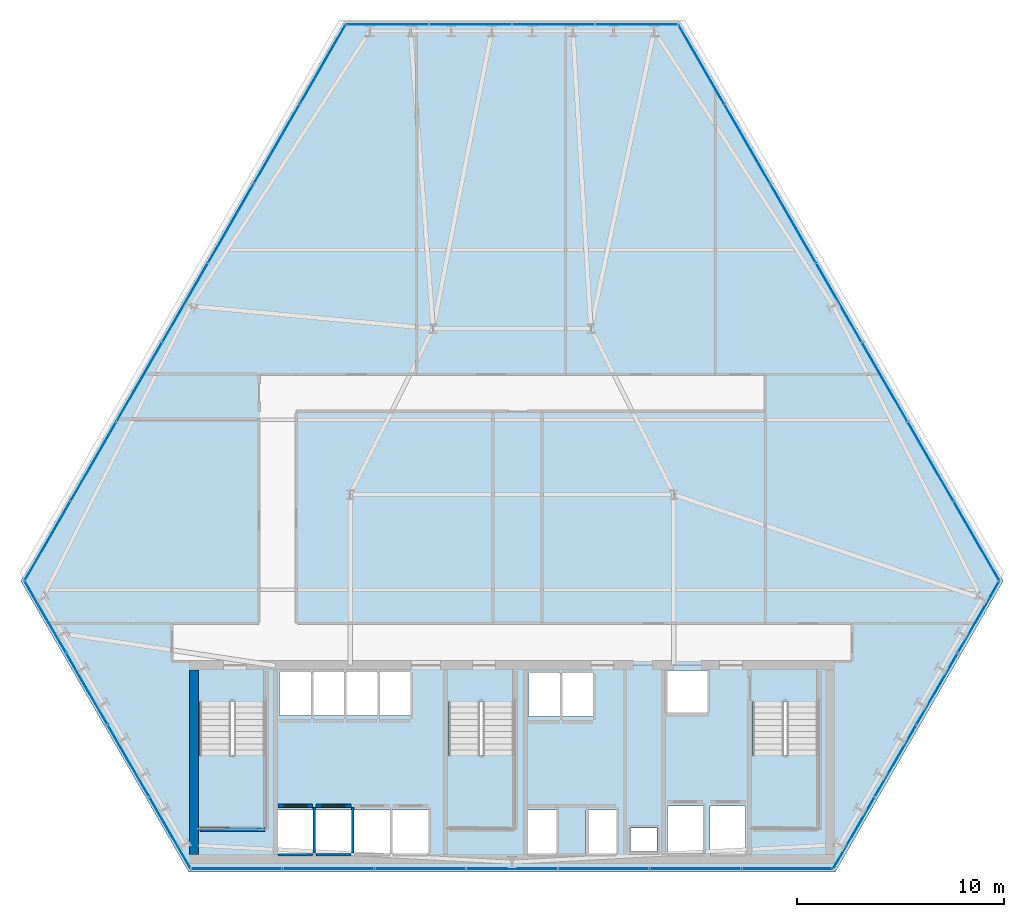
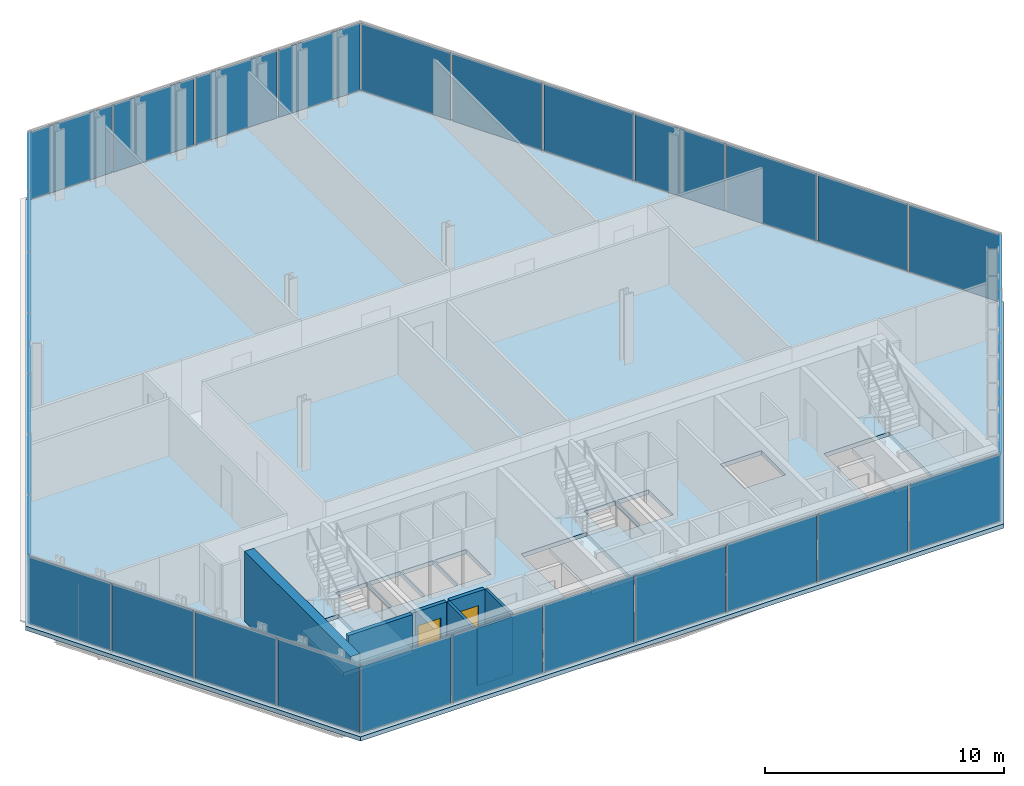
# One storey, part 26 of 32: 33 plates, 8 walls, 4 slabs, 2 doors, 2 openings, 9 elements without a shape of their own.
"""IFC4 building model written with IfcOpenShell, lengths in metres."""

from ifc_helpers import new_model, si_unit, direction, frame, frame_2d, origin, origin_2d, place, context, subcontext, project, spatial, polyline, rectangle, outline, extrude, material, layer, layer_set, type_object, element, fill, aggregate, save


model = new_model("IFC4")

# Units and contexts
model_context = context("Model", 3, precision=1e-05, world=origin(), true_north=direction((0.0, 1.0)))
body_context = subcontext(model_context, "Body", "Model", "MODEL_VIEW")
ifc_project = project(units=[si_unit("LENGTHUNIT", "METRE"), si_unit("AREAUNIT", "SQUARE_METRE"), si_unit("VOLUMEUNIT", "CUBIC_METRE"), si_unit("PLANEANGLEUNIT", "RADIAN"), si_unit("MASSUNIT", "GRAM", prefix="KILO")], contexts=[model_context])

# Site, building, storey
site_placement = place(None, origin())
site = spatial("IfcSite", under=ifc_project, at=site_placement, CompositionType="ELEMENT")
building_placement = place(site_placement, origin())
building = spatial("IfcBuilding", under=site, at=building_placement, Name="Ndaravel Arena Tower", CompositionType="ELEMENT")
storey_placement = place(building_placement, frame((0.0, 0.0, 47.39990234375)))
storey = spatial("IfcBuildingStorey", under=building, at=storey_placement, Name="L09", CompositionType="ELEMENT", Elevation=47.39990234375)

# Curtain wall, plate
ifc_material_1 = material(Name="Aluminium", Category="aluminium")
ifc_layer_1 = layer(ifc_material_1, 0.179931640625)
ifc_layer_set_1 = layer_set([ifc_layer_1], Name="Aluminium")
curtain_wall_type_1 = type_object("IfcCurtainWallType", Name="CW-SYS-01", PredefinedType="NOTDEFINED", material=ifc_layer_set_1)
curtain_wall_1_placement = place(storey_placement, origin())
curtain_wall_1 = element("IfcCurtainWall", 1, at=curtain_wall_1_placement, inside=storey, type_object=curtain_wall_type_1, Name="L09 Faceted Crystal Curtain Wall CW-L09-E02", PredefinedType="NOTDEFINED")
ifc_material_2 = material(Name="Glazing", Category="glass")
ifc_layer_2 = layer(ifc_material_2, 0.035888671875)
ifc_layer_set_2 = layer_set([ifc_layer_2], Name="Glazing")
plate_type_1 = type_object("IfcPlateType", Name="PLT-CW-OPVENT", PredefinedType="CURTAIN_PANEL", material=ifc_layer_set_2)
plate_1_placement = place(storey_placement, frame((60.48486328125, 10.36474609375, 0.06005859375), z_axis=(0.0, 0.0, 1.0), x_axis=(0.5, 0.866025403784, 0.0)))
plate_1 = element("IfcPlate", 2, at=plate_1_placement, type_object=plate_type_1, Name="CW-L09-E02 Operable Vent Sash Panel 02", PredefinedType="CURTAIN_PANEL", context=body_context, shape_type="SweptSolid", body=[
    extrude(rectangle(XDim=3.9267578125, YDim=0.035888671875, at=origin_2d()), origin(), (0.0, 0.0, 1.0), 3.4599609375),
])

curtain_wall_2_placement = place(storey_placement, origin())
curtain_wall_2 = element("IfcCurtainWall", 3, at=curtain_wall_2_placement, inside=storey, type_object=curtain_wall_type_1, Name="L09 Faceted Crystal Curtain Wall CW-L09-E04", PredefinedType="NOTDEFINED")
plate_2_placement = place(storey_placement, frame((44.00341796875, 45.851318359375, 0.06005859375), z_axis=(0.0, 0.0, 1.0), x_axis=(-1.0, 0.0, 0.0)))
plate_2 = element("IfcPlate", 4, at=plate_2_placement, type_object=plate_type_1, Name="CW-L09-E04 Operable Vent Sash Panel 02", PredefinedType="CURTAIN_PANEL", context=body_context, shape_type="SweptSolid", body=[
    extrude(rectangle(XDim=3.9267578125, YDim=0.035888671875, at=origin_2d()), origin(), (0.0, 0.0, 1.0), 3.4599609375),
])

ifc_material_3 = material(Name="Aluminium", Category="aluminium")
ifc_layer_3 = layer(ifc_material_3, 0.179931640625)
ifc_layer_set_3 = layer_set([ifc_layer_3], Name="Aluminium")
curtain_wall_type_2 = type_object("IfcCurtainWallType", Name="CW-SYS-02", PredefinedType="NOTDEFINED", material=ifc_layer_set_3)
curtain_wall_3_placement = place(storey_placement, origin())
curtain_wall_3 = element("IfcCurtainWall", 5, at=curtain_wall_3_placement, inside=storey, type_object=curtain_wall_type_2, Name="L09 Faceted Crystal Curtain Wall CW-L09-E06", PredefinedType="NOTDEFINED")
plate_3_placement = place(storey_placement, frame((21.51171875, 13.834716796875, 0.06005859375), z_axis=(0.0, 0.0, 1.0), x_axis=(0.5, -0.866025403784, 0.0)))
plate_3 = element("IfcPlate", 6, at=plate_3_placement, type_object=plate_type_1, Name="CW-L09-E06 Operable Vent Sash Panel 02", PredefinedType="CURTAIN_PANEL", context=body_context, shape_type="SweptSolid", body=[
    extrude(rectangle(XDim=3.9267578125, YDim=0.035888671875, at=origin_2d()), origin(), (0.0, 0.0, 1.0), 3.4599609375),
])

# Plate
ifc_material_4 = material(Name="Glazing", Category="glass")
ifc_layer_4 = layer(ifc_material_4, 0.031982421875)
ifc_layer_set_4 = layer_set([ifc_layer_4], Name="Glazing")
plate_type_2 = type_object("IfcPlateType", Name="PLT-GLZ-FRIT35", PredefinedType="CURTAIN_PANEL", material=ifc_layer_set_4)
plate_4_placement = place(storey_placement, frame((58.481689453125, 6.89501953125, 0.06005859375), z_axis=(0.0, 0.0, 1.0), x_axis=(0.5, 0.866025403784, 0.0)))
plate_4 = element("IfcPlate", 7, at=plate_4_placement, type_object=plate_type_2, Name="CW-L09-E02 Vision Glass Panel 01", PredefinedType="CURTAIN_PANEL", context=body_context, shape_type="SweptSolid", body=[
    extrude(rectangle(XDim=3.9267578125, YDim=0.035888671875, at=origin_2d()), origin(), (0.0, 0.0, 1.0), 3.4599609375),
])

plate_5_placement = place(storey_placement, frame((62.48828125, 13.834716796875, 0.06005859375), z_axis=(0.0, 0.0, 1.0), x_axis=(0.5, 0.866025403784, 0.0)))
plate_5 = element("IfcPlate", 8, at=plate_5_placement, type_object=plate_type_2, Name="CW-L09-E02 Vision Glass Panel 03", PredefinedType="CURTAIN_PANEL", context=body_context, shape_type="SweptSolid", body=[
    extrude(rectangle(XDim=3.9267578125, YDim=0.035888671875, at=origin_2d()), origin(), (0.0, 0.0, 1.0), 3.4599609375),
])

plate_6_placement = place(storey_placement, frame((64.491455078125, 17.3046875, 0.06005859375), z_axis=(0.0, 0.0, 1.0), x_axis=(0.5, 0.866025403784, 0.0)))
plate_6 = element("IfcPlate", 9, at=plate_6_placement, type_object=plate_type_2, Name="CW-L09-E02 Vision Glass Panel 04", PredefinedType="CURTAIN_PANEL", context=body_context, shape_type="SweptSolid", body=[
    extrude(rectangle(XDim=3.9267578125, YDim=0.035888671875, at=origin_2d()), origin(), (0.0, 0.0, 1.0), 3.4599609375),
])

aggregate(curtain_wall_1, [plate_4, plate_1, plate_5, plate_6])

plate_7_placement = place(storey_placement, frame((48.010009765625, 45.851318359375, 0.06005859375), z_axis=(0.0, 0.0, 1.0), x_axis=(-1.0, 0.0, 0.0)))
plate_7 = element("IfcPlate", 10, at=plate_7_placement, type_object=plate_type_2, Name="CW-L09-E04 Vision Glass Panel 01", PredefinedType="CURTAIN_PANEL", context=body_context, shape_type="SweptSolid", body=[
    extrude(rectangle(XDim=3.9267578125, YDim=0.035888671875, at=origin_2d()), origin(), (0.0, 0.0, 1.0), 3.4599609375),
])

plate_8_placement = place(storey_placement, frame((39.99658203125, 45.851318359375, 0.06005859375), z_axis=(0.0, 0.0, 1.0), x_axis=(-1.0, 0.0, 0.0)))
plate_8 = element("IfcPlate", 11, at=plate_8_placement, type_object=plate_type_2, Name="CW-L09-E04 Vision Glass Panel 03", PredefinedType="CURTAIN_PANEL", context=body_context, shape_type="SweptSolid", body=[
    extrude(rectangle(XDim=3.9267578125, YDim=0.035888671875, at=origin_2d()), origin(), (0.0, 0.0, 1.0), 3.4599609375),
])

plate_9_placement = place(storey_placement, frame((35.989990234375, 45.851318359375, 0.06005859375), z_axis=(0.0, 0.0, 1.0), x_axis=(-1.0, 0.0, 0.0)))
plate_9 = element("IfcPlate", 12, at=plate_9_placement, type_object=plate_type_2, Name="CW-L09-E04 Vision Glass Panel 04", PredefinedType="CURTAIN_PANEL", context=body_context, shape_type="SweptSolid", body=[
    extrude(rectangle(XDim=3.9267578125, YDim=0.035888671875, at=origin_2d()), origin(), (0.0, 0.0, 1.0), 3.4599609375),
])

aggregate(curtain_wall_2, [plate_7, plate_2, plate_8, plate_9])

ifc_material_5 = material(Name="Glazing", Category="glass")
ifc_layer_5 = layer(ifc_material_5, 0.035888671875)
ifc_layer_set_5 = layer_set([ifc_layer_5], Name="Glazing")
plate_type_3 = type_object("IfcPlateType", Name="PLT-GLZ-FRIT55", PredefinedType="CURTAIN_PANEL", material=ifc_layer_set_5)
plate_10_placement = place(storey_placement, frame((19.508544921875, 17.3046875, 0.06005859375), z_axis=(0.0, 0.0, 1.0), x_axis=(0.5, -0.866025403784, 0.0)))
plate_10 = element("IfcPlate", 13, at=plate_10_placement, type_object=plate_type_3, Name="CW-L09-E06 Vision Glass Panel 01", PredefinedType="CURTAIN_PANEL", context=body_context, shape_type="SweptSolid", body=[
    extrude(rectangle(XDim=3.9267578125, YDim=0.035888671875, at=origin_2d()), origin(), (0.0, 0.0, 1.0), 3.4599609375),
])

plate_11_placement = place(storey_placement, frame((23.51513671875, 10.36474609375, 0.06005859375), z_axis=(0.0, 0.0, 1.0), x_axis=(0.5, -0.866025403784, 0.0)))
plate_11 = element("IfcPlate", 14, at=plate_11_placement, type_object=plate_type_3, Name="CW-L09-E06 Vision Glass Panel 03", PredefinedType="CURTAIN_PANEL", context=body_context, shape_type="SweptSolid", body=[
    extrude(rectangle(XDim=3.9267578125, YDim=0.035888671875, at=origin_2d()), origin(), (0.0, 0.0, 1.0), 3.4599609375),
])

plate_12_placement = place(storey_placement, frame((25.518310546875, 6.89501953125, 0.06005859375), z_axis=(0.0, 0.0, 1.0), x_axis=(0.5, -0.866025403784, 0.0)))
plate_12 = element("IfcPlate", 15, at=plate_12_placement, type_object=plate_type_3, Name="CW-L09-E06 Vision Glass Panel 04", PredefinedType="CURTAIN_PANEL", context=body_context, shape_type="SweptSolid", body=[
    extrude(rectangle(XDim=3.9267578125, YDim=0.035888671875, at=origin_2d()), origin(), (0.0, 0.0, 1.0), 3.4599609375),
])

aggregate(curtain_wall_3, [plate_10, plate_3, plate_11, plate_12])

# Curtain wall, plates
ifc_material_6 = material(Name="Aluminium", Category="aluminium")
ifc_layer_6 = layer(ifc_material_6, 0.179931640625)
ifc_layer_set_6 = layer_set([ifc_layer_6], Name="Aluminium")
curtain_wall_type_3 = type_object("IfcCurtainWallType", Name="CW-SYS-03", PredefinedType="NOTDEFINED", material=ifc_layer_set_6)
curtain_wall_4_placement = place(storey_placement, origin())
curtain_wall_4 = element("IfcCurtainWall", 16, at=curtain_wall_4_placement, inside=storey, type_object=curtain_wall_type_3, Name="L09 Faceted Crystal Curtain Wall CW-L09-E01", PredefinedType="NOTDEFINED")
ifc_material_7 = material(Name="Glazing", Category="glass")
ifc_layer_7 = layer(ifc_material_7, 0.0400390625)
ifc_layer_set_7 = layer_set([ifc_layer_7], Name="Glazing")
plate_type_4 = type_object("IfcPlateType", Name="PLT-GLZ-LOWIRON", PredefinedType="CURTAIN_PANEL", material=ifc_layer_set_7)
plate_13_placement = place(storey_placement, frame((28.7314453125, 5.159912109375, 0.06005859375), z_axis=(0.0, 0.0, 1.0), x_axis=(1.0, 0.0, 0.0)))
plate_13 = element("IfcPlate", 17, at=plate_13_placement, type_object=plate_type_4, Name="CW-L09-E01 Vision Glass Panel 01", PredefinedType="CURTAIN_PANEL", context=body_context, shape_type="SweptSolid", body=[
    extrude(rectangle(XDim=4.3427734375, YDim=0.035888671875, at=origin_2d()), origin(), (0.0, 0.0, 1.0), 3.4599609375),
])
plate_14_placement = place(storey_placement, frame((33.154296875, 5.159912109375, 0.06005859375), z_axis=(0.0, 0.0, 1.0), x_axis=(1.0, 0.0, 0.0)))
plate_14 = element("IfcPlate", 18, at=plate_14_placement, type_object=plate_type_4, Name="CW-L09-E01 Vision Glass Panel 02", PredefinedType="CURTAIN_PANEL", context=body_context, shape_type="SweptSolid", body=[
    extrude(rectangle(XDim=4.3427734375, YDim=0.035888671875, at=origin_2d()), origin(), (0.0, 0.0, 1.0), 3.4599609375),
])
plate_15_placement = place(storey_placement, frame((37.5771484375, 5.159912109375, 0.06005859375), z_axis=(0.0, 0.0, 1.0), x_axis=(1.0, 0.0, 0.0)))
plate_15 = element("IfcPlate", 19, at=plate_15_placement, type_object=plate_type_4, Name="CW-L09-E01 Vision Glass Panel 03", PredefinedType="CURTAIN_PANEL", context=body_context, shape_type="SweptSolid", body=[
    extrude(rectangle(XDim=4.3427734375, YDim=0.035888671875, at=origin_2d()), origin(), (0.0, 0.0, 1.0), 3.4599609375),
])
plate_16_placement = place(storey_placement, frame((42.0, 5.159912109375, 0.06005859375), z_axis=(0.0, 0.0, 1.0), x_axis=(1.0, 0.0, 0.0)))
plate_16 = element("IfcPlate", 20, at=plate_16_placement, type_object=plate_type_4, Name="CW-L09-E01 Vision Glass Panel 04", PredefinedType="CURTAIN_PANEL", context=body_context, shape_type="SweptSolid", body=[
    extrude(rectangle(XDim=4.3427734375, YDim=0.035888671875, at=origin_2d()), origin(), (0.0, 0.0, 1.0), 3.4599609375),
])
plate_17_placement = place(storey_placement, frame((46.4228515625, 5.159912109375, 0.06005859375), z_axis=(0.0, 0.0, 1.0), x_axis=(1.0, 0.0, 0.0)))
plate_17 = element("IfcPlate", 21, at=plate_17_placement, type_object=plate_type_4, Name="CW-L09-E01 Vision Glass Panel 05", PredefinedType="CURTAIN_PANEL", context=body_context, shape_type="SweptSolid", body=[
    extrude(rectangle(XDim=4.3427734375, YDim=0.035888671875, at=origin_2d()), origin(), (0.0, 0.0, 1.0), 3.4599609375),
])
plate_18_placement = place(storey_placement, frame((50.845703125, 5.159912109375, 0.06005859375), z_axis=(0.0, 0.0, 1.0), x_axis=(1.0, 0.0, 0.0)))
plate_18 = element("IfcPlate", 22, at=plate_18_placement, type_object=plate_type_4, Name="CW-L09-E01 Vision Glass Panel 06", PredefinedType="CURTAIN_PANEL", context=body_context, shape_type="SweptSolid", body=[
    extrude(rectangle(XDim=4.3427734375, YDim=0.035888671875, at=origin_2d()), origin(), (0.0, 0.0, 1.0), 3.4599609375),
])
plate_19_placement = place(storey_placement, frame((55.2685546875, 5.159912109375, 0.06005859375), z_axis=(0.0, 0.0, 1.0), x_axis=(1.0, 0.0, 0.0)))
plate_19 = element("IfcPlate", 23, at=plate_19_placement, type_object=plate_type_4, Name="CW-L09-E01 Vision Glass Panel 07", PredefinedType="CURTAIN_PANEL", context=body_context, shape_type="SweptSolid", body=[
    extrude(rectangle(XDim=4.3427734375, YDim=0.035888671875, at=origin_2d()), origin(), (0.0, 0.0, 1.0), 3.4599609375),
])
aggregate(curtain_wall_4, [plate_13, plate_14, plate_15, plate_16, plate_17, plate_18, plate_19])

curtain_wall_5_placement = place(storey_placement, origin())
curtain_wall_5 = element("IfcCurtainWall", 24, at=curtain_wall_5_placement, inside=storey, type_object=curtain_wall_type_3, Name="L09 Faceted Crystal Curtain Wall CW-L09-E03", PredefinedType="NOTDEFINED")
plate_20_placement = place(storey_placement, frame((64.387451171875, 20.95458984375, 0.06005859375), z_axis=(0.0, 0.0, 1.0), x_axis=(-0.5, 0.866025403784, 0.0)))
plate_20 = element("IfcPlate", 25, at=plate_20_placement, type_object=plate_type_4, Name="CW-L09-E03 Vision Glass Panel 01", PredefinedType="CURTAIN_PANEL", context=body_context, shape_type="SweptSolid", body=[
    extrude(rectangle(XDim=4.3427734375, YDim=0.035888671875, at=origin_2d()), origin(), (0.0, 0.0, 1.0), 3.4599609375),
])
plate_21_placement = place(storey_placement, frame((62.176025390625, 24.784912109375, 0.06005859375), z_axis=(0.0, 0.0, 1.0), x_axis=(-0.5, 0.866025403784, 0.0)))
plate_21 = element("IfcPlate", 26, at=plate_21_placement, type_object=plate_type_4, Name="CW-L09-E03 Vision Glass Panel 02", PredefinedType="CURTAIN_PANEL", context=body_context, shape_type="SweptSolid", body=[
    extrude(rectangle(XDim=4.3427734375, YDim=0.035888671875, at=origin_2d()), origin(), (0.0, 0.0, 1.0), 3.4599609375),
])
plate_22_placement = place(storey_placement, frame((59.964599609375, 28.615234375, 0.06005859375), z_axis=(0.0, 0.0, 1.0), x_axis=(-0.5, 0.866025403784, 0.0)))
plate_22 = element("IfcPlate", 27, at=plate_22_placement, type_object=plate_type_4, Name="CW-L09-E03 Vision Glass Panel 03", PredefinedType="CURTAIN_PANEL", context=body_context, shape_type="SweptSolid", body=[
    extrude(rectangle(XDim=4.3427734375, YDim=0.035888671875, at=origin_2d()), origin(), (0.0, 0.0, 1.0), 3.4599609375),
])
plate_23_placement = place(storey_placement, frame((57.75341796875, 32.445556640625, 0.06005859375), z_axis=(0.0, 0.0, 1.0), x_axis=(-0.5, 0.866025403784, 0.0)))
plate_23 = element("IfcPlate", 28, at=plate_23_placement, type_object=plate_type_4, Name="CW-L09-E03 Vision Glass Panel 04", PredefinedType="CURTAIN_PANEL", context=body_context, shape_type="SweptSolid", body=[
    extrude(rectangle(XDim=4.3427734375, YDim=0.035888671875, at=origin_2d()), origin(), (0.0, 0.0, 1.0), 3.4599609375),
])
plate_24_placement = place(storey_placement, frame((55.541748046875, 36.275634765625, 0.06005859375), z_axis=(0.0, 0.0, 1.0), x_axis=(-0.5, 0.866025403784, 0.0)))
plate_24 = element("IfcPlate", 29, at=plate_24_placement, type_object=plate_type_4, Name="CW-L09-E03 Vision Glass Panel 05", PredefinedType="CURTAIN_PANEL", context=body_context, shape_type="SweptSolid", body=[
    extrude(rectangle(XDim=4.3427734375, YDim=0.035888671875, at=origin_2d()), origin(), (0.0, 0.0, 1.0), 3.4599609375),
])
plate_25_placement = place(storey_placement, frame((53.330322265625, 40.10595703125, 0.06005859375), z_axis=(0.0, 0.0, 1.0), x_axis=(-0.5, 0.866025403784, 0.0)))
plate_25 = element("IfcPlate", 30, at=plate_25_placement, type_object=plate_type_4, Name="CW-L09-E03 Vision Glass Panel 06", PredefinedType="CURTAIN_PANEL", context=body_context, shape_type="SweptSolid", body=[
    extrude(rectangle(XDim=4.3427734375, YDim=0.035888671875, at=origin_2d()), origin(), (0.0, 0.0, 1.0), 3.4599609375),
])
plate_26_placement = place(storey_placement, frame((51.118896484375, 43.936279296875, 0.06005859375), z_axis=(0.0, 0.0, 1.0), x_axis=(-0.5, 0.866025403784, 0.0)))
plate_26 = element("IfcPlate", 31, at=plate_26_placement, type_object=plate_type_4, Name="CW-L09-E03 Vision Glass Panel 07", PredefinedType="CURTAIN_PANEL", context=body_context, shape_type="SweptSolid", body=[
    extrude(rectangle(XDim=4.3427734375, YDim=0.035888671875, at=origin_2d()), origin(), (0.0, 0.0, 1.0), 3.4599609375),
])
aggregate(curtain_wall_5, [plate_20, plate_21, plate_22, plate_23, plate_24, plate_25, plate_26])

curtain_wall_6_placement = place(storey_placement, origin())
curtain_wall_6 = element("IfcCurtainWall", 32, at=curtain_wall_6_placement, inside=storey, type_object=curtain_wall_type_3, Name="L09 Faceted Crystal Curtain Wall CW-L09-E05", PredefinedType="NOTDEFINED")
plate_27_placement = place(storey_placement, frame((32.881103515625, 43.936279296875, 0.06005859375), z_axis=(0.0, 0.0, 1.0), x_axis=(-0.5, -0.866025403784, 0.0)))
plate_27 = element("IfcPlate", 33, at=plate_27_placement, type_object=plate_type_4, Name="CW-L09-E05 Vision Glass Panel 01", PredefinedType="CURTAIN_PANEL", context=body_context, shape_type="SweptSolid", body=[
    extrude(rectangle(XDim=4.3427734375, YDim=0.035888671875, at=origin_2d()), origin(), (0.0, 0.0, 1.0), 3.4599609375),
])
plate_28_placement = place(storey_placement, frame((30.669677734375, 40.10595703125, 0.06005859375), z_axis=(0.0, 0.0, 1.0), x_axis=(-0.5, -0.866025403784, 0.0)))
plate_28 = element("IfcPlate", 34, at=plate_28_placement, type_object=plate_type_4, Name="CW-L09-E05 Vision Glass Panel 02", PredefinedType="CURTAIN_PANEL", context=body_context, shape_type="SweptSolid", body=[
    extrude(rectangle(XDim=4.3427734375, YDim=0.035888671875, at=origin_2d()), origin(), (0.0, 0.0, 1.0), 3.4599609375),
])
plate_29_placement = place(storey_placement, frame((28.458251953125, 36.275634765625, 0.06005859375), z_axis=(0.0, 0.0, 1.0), x_axis=(-0.5, -0.866025403784, 0.0)))
plate_29 = element("IfcPlate", 35, at=plate_29_placement, type_object=plate_type_4, Name="CW-L09-E05 Vision Glass Panel 03", PredefinedType="CURTAIN_PANEL", context=body_context, shape_type="SweptSolid", body=[
    extrude(rectangle(XDim=4.3427734375, YDim=0.035888671875, at=origin_2d()), origin(), (0.0, 0.0, 1.0), 3.4599609375),
])
plate_30_placement = place(storey_placement, frame((26.24658203125, 32.445556640625, 0.06005859375), z_axis=(0.0, 0.0, 1.0), x_axis=(-0.5, -0.866025403784, 0.0)))
plate_30 = element("IfcPlate", 36, at=plate_30_placement, type_object=plate_type_4, Name="CW-L09-E05 Vision Glass Panel 04", PredefinedType="CURTAIN_PANEL", context=body_context, shape_type="SweptSolid", body=[
    extrude(rectangle(XDim=4.3427734375, YDim=0.035888671875, at=origin_2d()), origin(), (0.0, 0.0, 1.0), 3.4599609375),
])
plate_31_placement = place(storey_placement, frame((24.035400390625, 28.615234375, 0.06005859375), z_axis=(0.0, 0.0, 1.0), x_axis=(-0.5, -0.866025403784, 0.0)))
plate_31 = element("IfcPlate", 37, at=plate_31_placement, type_object=plate_type_4, Name="CW-L09-E05 Vision Glass Panel 05", PredefinedType="CURTAIN_PANEL", context=body_context, shape_type="SweptSolid", body=[
    extrude(rectangle(XDim=4.3427734375, YDim=0.035888671875, at=origin_2d()), origin(), (0.0, 0.0, 1.0), 3.4599609375),
])
plate_32_placement = place(storey_placement, frame((21.823974609375, 24.784912109375, 0.06005859375), z_axis=(0.0, 0.0, 1.0), x_axis=(-0.5, -0.866025403784, 0.0)))
plate_32 = element("IfcPlate", 38, at=plate_32_placement, type_object=plate_type_4, Name="CW-L09-E05 Vision Glass Panel 06", PredefinedType="CURTAIN_PANEL", context=body_context, shape_type="SweptSolid", body=[
    extrude(rectangle(XDim=4.3427734375, YDim=0.035888671875, at=origin_2d()), origin(), (0.0, 0.0, 1.0), 3.4599609375),
])
plate_33_placement = place(storey_placement, frame((19.612548828125, 20.95458984375, 0.06005859375), z_axis=(0.0, 0.0, 1.0), x_axis=(-0.5, -0.866025403784, 0.0)))
plate_33 = element("IfcPlate", 39, at=plate_33_placement, type_object=plate_type_4, Name="CW-L09-E05 Vision Glass Panel 07", PredefinedType="CURTAIN_PANEL", context=body_context, shape_type="SweptSolid", body=[
    extrude(rectangle(XDim=4.3427734375, YDim=0.035888671875, at=origin_2d()), origin(), (0.0, 0.0, 1.0), 3.4599609375),
])
aggregate(curtain_wall_6, [plate_27, plate_28, plate_29, plate_30, plate_31, plate_32, plate_33])

# Stair, slab
ifc_material_8 = material(Name="Concrete C40/50", Category="concrete")
stair_type = type_object("IfcStairType", Name="STAIR-CORE-HT", PredefinedType="HALF_TURN_STAIR", material=ifc_material_8)
stair_1_placement = place(storey_placement, origin())
stair_1 = element("IfcStair", 40, at=stair_1_placement, inside=storey, type_object=stair_type, Name="L09 ST-1", PredefinedType="HALF_TURN_STAIR")
ifc_material_9 = material(Name="Concrete C40/50", Category="concrete")
ifc_layer_8 = layer(ifc_material_9, 0.199951171875)
ifc_layer_set_8 = layer_set([ifc_layer_8], Name="Concrete C40/50")
slab_type_1 = type_object("IfcSlabType", Name="SLAB-STAIR-LANDING", PredefinedType="LANDING", material=ifc_layer_set_8)
slab_1_placement = place(storey_placement, frame((0.0, 0.0, 1.7001953125)))
slab_1 = element("IfcSlab", 41, at=slab_1_placement, type_object=slab_type_1, Name="ST-1 landing 1", PredefinedType="LANDING", context=body_context, shape_type="SweptSolid", body=[
    extrude(outline(polyline([(26.81005859375, 10.6298828125), (26.81005859375, 7.070068359375), (30.169921875, 7.070068359375), (30.169921875, 10.6298828125), (26.81005859375, 10.6298828125)])), origin(), (0.0, 0.0, 1.0), 0.199951171875),
])
aggregate(stair_1, [slab_1])

stair_2_placement = place(storey_placement, origin())
stair_2 = element("IfcStair", 42, at=stair_2_placement, inside=storey, type_object=stair_type, Name="L09 ST-2", PredefinedType="HALF_TURN_STAIR")
slab_2_placement = place(storey_placement, frame((0.0, 0.0, 1.7001953125)))
slab_2 = element("IfcSlab", 43, at=slab_2_placement, type_object=slab_type_1, Name="ST-2 landing 1", PredefinedType="LANDING", context=body_context, shape_type="SweptSolid", body=[
    extrude(outline(polyline([(38.81005859375, 10.6298828125), (38.81005859375, 7.070068359375), (42.169921875, 7.070068359375), (42.169921875, 10.6298828125), (38.81005859375, 10.6298828125)])), origin(), (0.0, 0.0, 1.0), 0.199951171875),
])
aggregate(stair_2, [slab_2])

stair_3_placement = place(storey_placement, origin())
stair_3 = element("IfcStair", 44, at=stair_3_placement, inside=storey, type_object=stair_type, Name="L09 ST-3", PredefinedType="HALF_TURN_STAIR")
slab_3_placement = place(storey_placement, frame((0.0, 0.0, 1.7001953125)))
slab_3 = element("IfcSlab", 45, at=slab_3_placement, type_object=slab_type_1, Name="ST-3 landing 1", PredefinedType="LANDING", context=body_context, shape_type="SweptSolid", body=[
    extrude(outline(polyline([(53.4599609375, 10.6298828125), (53.4599609375, 7.070068359375), (56.820068359375, 7.070068359375), (56.820068359375, 10.6298828125), (53.4599609375, 10.6298828125)])), origin(), (0.0, 0.0, 1.0), 0.199951171875),
])
aggregate(stair_3, [slab_3])

# Slab
ifc_material_10 = material(Name="Concrete C40/50", Category="concrete")
ifc_layer_9 = layer(ifc_material_10, 0.219970703125)
ifc_layer_set_9 = layer_set([ifc_layer_9], Name="Concrete C40/50")
slab_type_2 = type_object("IfcSlabType", Name="SLAB-TWR-220", PredefinedType="FLOOR", material=ifc_layer_set_9)
slab_4_placement = place(storey_placement, frame((0.0, 0.0, -0.219970703125)))
element("IfcSlab", 46, at=slab_4_placement, inside=storey, type_object=slab_type_2, Name="L09 Structural Floor Slab", PredefinedType="FLOOR", context=body_context, shape_type="SweptSolid", body=[
    extrude(outline(polyline([(18.322021484375, 19.03955078125), (26.427734375, 5.0), (57.572265625, 5.0), (65.677978515625, 19.03955078125), (50.105712890625, 46.011474609375), (33.894287109375, 46.011474609375), (18.322021484375, 19.03955078125)]), holes=[polyline([(26.949951171875, 13.215087890625), (26.949951171875, 7.14990234375), (30.090087890625, 7.14990234375), (30.090087890625, 13.215087890625), (26.949951171875, 13.215087890625)]), polyline([(38.949951171875, 13.215087890625), (38.949951171875, 7.14990234375), (42.090087890625, 7.14990234375), (42.090087890625, 13.215087890625), (38.949951171875, 13.215087890625)]), polyline([(53.60009765625, 13.215087890625), (53.60009765625, 7.14990234375), (56.739990234375, 7.14990234375), (56.739990234375, 13.215087890625), (53.60009765625, 13.215087890625)]), polyline([(30.68505859375, 5.909912109375), (32.4150390625, 5.909912109375), (32.4150390625, 7.989990234375), (30.68505859375, 7.989990234375), (30.68505859375, 5.909912109375)]), polyline([(32.534912109375, 5.909912109375), (34.264892578125, 5.909912109375), (34.264892578125, 7.989990234375), (32.534912109375, 7.989990234375), (32.534912109375, 5.909912109375)]), polyline([(34.385009765625, 5.909912109375), (36.114990234375, 5.909912109375), (36.114990234375, 7.989990234375), (34.385009765625, 7.989990234375), (34.385009765625, 5.909912109375)]), polyline([(36.235107421875, 5.909912109375), (37.965087890625, 5.909912109375), (37.965087890625, 7.989990234375), (36.235107421875, 7.989990234375), (36.235107421875, 5.909912109375)]), polyline([(30.784912109375, 12.56005859375), (32.31494140625, 12.56005859375), (32.31494140625, 14.639892578125), (30.784912109375, 14.639892578125), (30.784912109375, 12.56005859375)]), polyline([(32.385009765625, 12.56005859375), (33.9150390625, 12.56005859375), (33.9150390625, 14.639892578125), (32.385009765625, 14.639892578125), (32.385009765625, 12.56005859375)]), polyline([(33.985107421875, 12.56005859375), (35.514892578125, 12.56005859375), (35.514892578125, 14.639892578125), (33.985107421875, 14.639892578125), (33.985107421875, 12.56005859375)]), polyline([(35.5849609375, 12.56005859375), (37.114990234375, 12.56005859375), (37.114990234375, 14.639892578125), (35.5849609375, 14.639892578125), (35.5849609375, 12.56005859375)]), polyline([(42.659912109375, 5.909912109375), (44.139892578125, 5.909912109375), (44.139892578125, 7.989990234375), (42.659912109375, 7.989990234375), (42.659912109375, 5.909912109375)]), polyline([(45.56005859375, 5.909912109375), (47.0400390625, 5.909912109375), (47.0400390625, 7.989990234375), (45.56005859375, 7.989990234375), (45.56005859375, 5.909912109375)]), polyline([(42.784912109375, 12.510009765625), (44.31494140625, 12.510009765625), (44.31494140625, 14.590087890625), (42.784912109375, 14.590087890625), (42.784912109375, 12.510009765625)]), polyline([(44.385009765625, 12.510009765625), (45.9150390625, 12.510009765625), (45.9150390625, 14.590087890625), (44.385009765625, 14.590087890625), (44.385009765625, 12.510009765625)]), polyline([(49.485107421875, 5.909912109375), (51.215087890625, 5.909912109375), (51.215087890625, 8.18994140625), (49.485107421875, 8.18994140625), (49.485107421875, 5.909912109375)]), polyline([(51.534912109375, 5.909912109375), (53.264892578125, 5.909912109375), (53.264892578125, 8.18994140625), (51.534912109375, 8.18994140625), (51.534912109375, 5.909912109375)]), polyline([(49.4599609375, 12.68505859375), (51.43994140625, 12.68505859375), (51.43994140625, 14.715087890625), (49.4599609375, 14.715087890625), (49.4599609375, 12.68505859375)]), polyline([(47.699951171875, 6.0), (49.0, 6.0), (49.0, 7.139892578125), (47.699951171875, 7.139892578125), (47.699951171875, 6.0)])]), origin(), (0.0, 0.0, 1.0), 0.219970703125),
])

# Walls
ifc_material_11 = material(Name="Concrete C60/75", Category="concrete")
ifc_layer_10 = layer(ifc_material_11, 0.449951171875)
ifc_layer_set_10 = layer_set([ifc_layer_10], Name="Concrete C60/75")
wall_type_1 = type_object("IfcWallType", Name="WALL-CORE-450", PredefinedType="SOLIDWALL", material=ifc_layer_set_10)
wall_1_placement = place(storey_placement, frame((26.675048828125, 5.85009765625, 0.0), z_axis=(0.0, 0.0, 1.0), x_axis=(0.0, 1.0, 0.0)))
element("IfcWall", 47, at=wall_1_placement, inside=storey, type_object=wall_type_1, Name="L09 Core West Shear Wall", PredefinedType="SOLIDWALL", context=body_context, shape_type="SweptSolid", body=[
    extrude(rectangle(XDim=8.89990234375, YDim=0.449951171875, at=frame_2d((4.449951171875, 0.0))), origin(), (0.0, 0.0, 1.0), 3.580078125),
])
ifc_material_12 = material(Name="Concrete C40/50", Category="concrete")
ifc_layer_11 = layer(ifc_material_12, 0.1201171875)
ifc_layer_set_11 = layer_set([ifc_layer_11], Name="Concrete C40/50")
wall_type_2 = type_object("IfcWallType", Name="WALL-SHAFT-120", PredefinedType="SOLIDWALL", material=ifc_layer_set_11)
wall_2_placement = place(storey_placement, frame((30.72998046875, 5.840087890625, 0.0), z_axis=(0.0, 0.0, 1.0), x_axis=(1.0, 0.0, 0.0)))
element("IfcWall", 48, at=wall_2_placement, inside=storey, type_object=wall_type_2, Name="L09 PL-L1 Shaft Rear Wall", PredefinedType="SOLIDWALL", context=body_context, shape_type="SweptSolid", body=[
    extrude(rectangle(XDim=1.6650390625, YDim=0.1201171875, at=frame_2d((0.83251953125, 0.0))), origin(), (0.0, 0.0, 1.0), 2.932861328125),
])
wall_3_placement = place(storey_placement, frame((32.47509765625, 5.929931640625, 0.0), z_axis=(0.0, 0.0, 1.0), x_axis=(0.0, 1.0, 0.0)))
element("IfcWall", 49, at=wall_3_placement, inside=storey, type_object=wall_type_2, Name="L09 PL-L1 Shaft Side R Wall", PredefinedType="SOLIDWALL", context=body_context, shape_type="SweptSolid", body=[
    extrude(rectangle(XDim=2.18017578125, YDim=0.1201171875, at=frame_2d((1.090087890625, 0.0))), origin(), (0.0, 0.0, 1.0), 2.932861328125),
])
wall_4_placement = place(storey_placement, frame((32.554931640625, 5.840087890625, 0.0), z_axis=(0.0, 0.0, 1.0), x_axis=(1.0, 0.0, 0.0)))
element("IfcWall", 50, at=wall_4_placement, inside=storey, type_object=wall_type_2, Name="L09 PL-L2 Shaft Rear Wall", PredefinedType="SOLIDWALL", context=body_context, shape_type="SweptSolid", body=[
    extrude(rectangle(XDim=1.690185546875, YDim=0.1201171875, at=frame_2d((0.84521484375, 0.0))), origin(), (0.0, 0.0, 1.0), 2.932861328125),
])
wall_5_placement = place(storey_placement, frame((34.324951171875, 5.929931640625, 0.0), z_axis=(0.0, 0.0, 1.0), x_axis=(0.0, 1.0, 0.0)))
element("IfcWall", 51, at=wall_5_placement, inside=storey, type_object=wall_type_2, Name="L09 PL-L2 Shaft Side R Wall", PredefinedType="SOLIDWALL", context=body_context, shape_type="SweptSolid", body=[
    extrude(rectangle(XDim=2.18017578125, YDim=0.1201171875, at=frame_2d((1.090087890625, 0.0))), origin(), (0.0, 0.0, 1.0), 2.932861328125),
])
ifc_material_13 = material(Name="Concrete C40/50", Category="concrete")
ifc_layer_12 = layer(ifc_material_13, 0.199951171875)
ifc_layer_set_12 = layer_set([ifc_layer_12], Name="Concrete C40/50")
wall_type_3 = type_object("IfcWallType", Name="WALL-SHAFT-200", PredefinedType="SOLIDWALL", material=ifc_layer_set_12)
wall_6_placement = place(storey_placement, frame((26.969970703125, 7.050048828125, 0.0), z_axis=(0.0, 0.0, 1.0), x_axis=(1.0, 0.0, 0.0)))
element("IfcWall", 52, at=wall_6_placement, inside=storey, type_object=wall_type_3, Name="L09 ST-1 Structural Shaft Wall Far", PredefinedType="SOLIDWALL", context=body_context, shape_type="SweptSolid", body=[
    extrude(rectangle(XDim=3.114990234375, YDim=0.199951171875, at=frame_2d((1.5576171875, 0.0))), origin(), (0.0, 0.0, 1.0), 3.800048828125),
])

# Wall, opening, door
wall_7_placement = place(storey_placement, frame((30.72998046875, 8.199951171875, 0.0), z_axis=(0.0, 0.0, 1.0), x_axis=(1.0, 0.0, 0.0)))
wall_7 = element("IfcWall", 53, at=wall_7_placement, inside=storey, type_object=wall_type_3, Name="L09 PL-L1 Shaft Landing Wall", PredefinedType="SOLIDWALL", context=body_context, shape_type="SweptSolid", body=[
    extrude(rectangle(XDim=1.6650390625, YDim=0.179931640625, at=frame_2d((0.83251953125, 0.0))), origin(), (0.0, 0.0, 1.0), 2.932861328125),
])
opening_1_placement = place(wall_7_placement, frame((0.282470703125, 0.0, 0.0)))
opening_1 = element("IfcOpeningElement", 54, at=opening_1_placement, cuts=wall_7, Name="Opening LD-01", PredefinedType="OPENING", context=body_context, shape_type="SweptSolid", body=[
    extrude(rectangle(XDim=1.10009765625, YDim=2.199951171875, at=frame_2d((0.550048828125, 1.10009765625))), frame((0.0, 0.08984375, 0.0), z_axis=(0.0, -1.0, 0.0), x_axis=(1.0, 0.0, 0.0)), (0.0, 0.0, 1.0), 0.179931640625),
])
ifc_material_14 = material(Name="Steel S355", Category="steel")
door_type = type_object("IfcDoorType", Name="DT-06-LIFT-1100", OperationType="SLIDING_TO_LEFT", PredefinedType="DOOR", material=ifc_material_14)
door_1_placement = place(opening_1_placement, origin())
door_1 = element("IfcDoor", 55, at=door_1_placement, inside=storey, type_object=door_type, Name="L09 Lift PL-L1 Sliding Landing Door", OperationType="SLIDING_TO_LEFT", OverallHeight=2.199951171875, OverallWidth=1.10009765625, PredefinedType="DOOR", context=body_context, shape_type="SweptSolid", body=[
    extrude(rectangle(XDim=1.10009765625, YDim=2.199951171875, at=frame_2d((0.550048828125, 1.10009765625))), frame((0.0, 0.02490234375, 0.0), z_axis=(0.0, -1.0, 0.0), x_axis=(1.0, 0.0, 0.0)), (0.0, 0.0, 1.0), 0.050048828125),
])
fill(opening_1, door_1)

wall_8_placement = place(storey_placement, frame((32.554931640625, 8.199951171875, 0.0), z_axis=(0.0, 0.0, 1.0), x_axis=(1.0, 0.0, 0.0)))
wall_8 = element("IfcWall", 56, at=wall_8_placement, inside=storey, type_object=wall_type_3, Name="L09 PL-L2 Shaft Landing Wall", PredefinedType="SOLIDWALL", context=body_context, shape_type="SweptSolid", body=[
    extrude(rectangle(XDim=1.690185546875, YDim=0.179931640625, at=frame_2d((0.84521484375, 0.0))), origin(), (0.0, 0.0, 1.0), 2.932861328125),
])
opening_2_placement = place(wall_8_placement, frame((0.294921875, 0.0, 0.0)))
opening_2 = element("IfcOpeningElement", 57, at=opening_2_placement, cuts=wall_8, Name="Opening LD-01", PredefinedType="OPENING", context=body_context, shape_type="SweptSolid", body=[
    extrude(rectangle(XDim=1.10009765625, YDim=2.199951171875, at=frame_2d((0.550048828125, 1.10009765625))), frame((0.0, 0.08984375, 0.0), z_axis=(0.0, -1.0, 0.0), x_axis=(1.0, 0.0, 0.0)), (0.0, 0.0, 1.0), 0.179931640625),
])
door_2_placement = place(opening_2_placement, origin())
door_2 = element("IfcDoor", 58, at=door_2_placement, inside=storey, type_object=door_type, Name="L09 Lift PL-L2 Sliding Landing Door", OperationType="SLIDING_TO_LEFT", OverallHeight=2.199951171875, OverallWidth=1.10009765625, PredefinedType="DOOR", context=body_context, shape_type="SweptSolid", body=[
    extrude(rectangle(XDim=1.10009765625, YDim=2.199951171875, at=frame_2d((0.550048828125, 1.10009765625))), frame((0.0, 0.02490234375, 0.0), z_axis=(0.0, -1.0, 0.0), x_axis=(1.0, 0.0, 0.0)), (0.0, 0.0, 1.0), 0.050048828125),
])
fill(opening_2, door_2)

save(model, "model.ifc")
